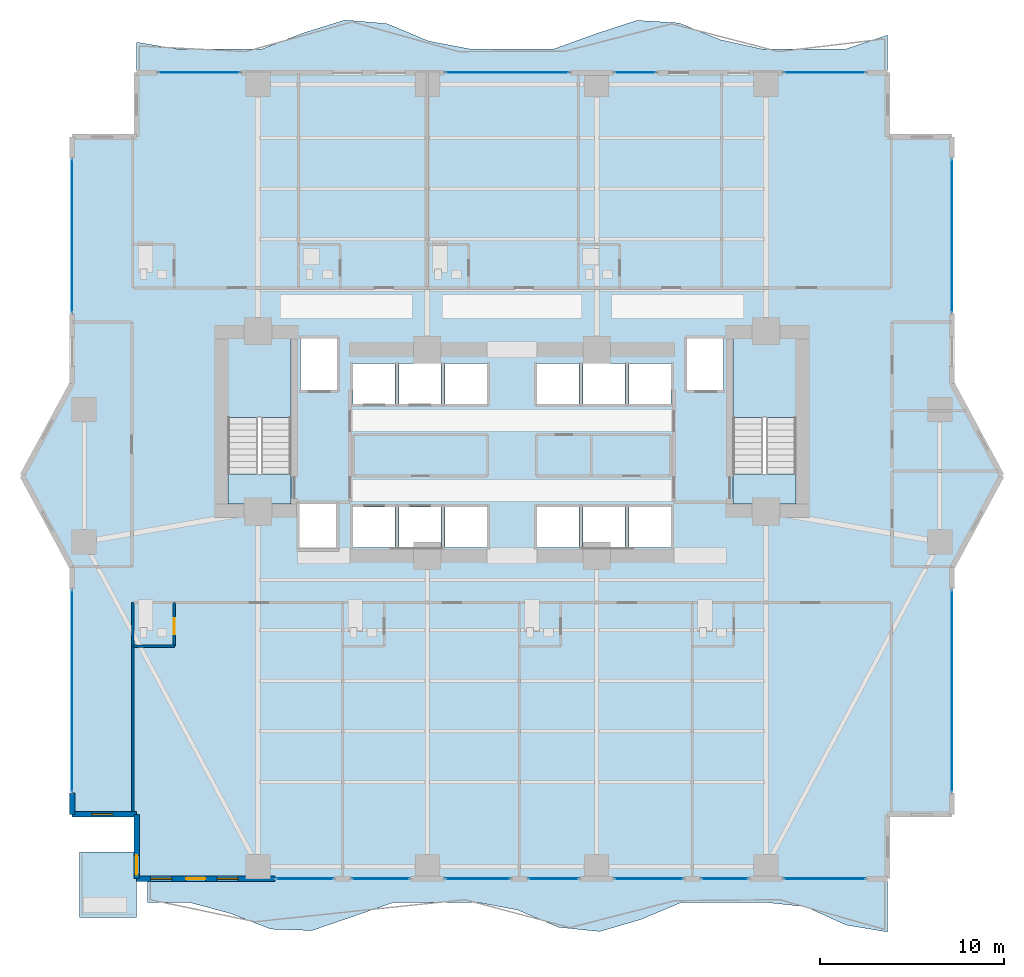
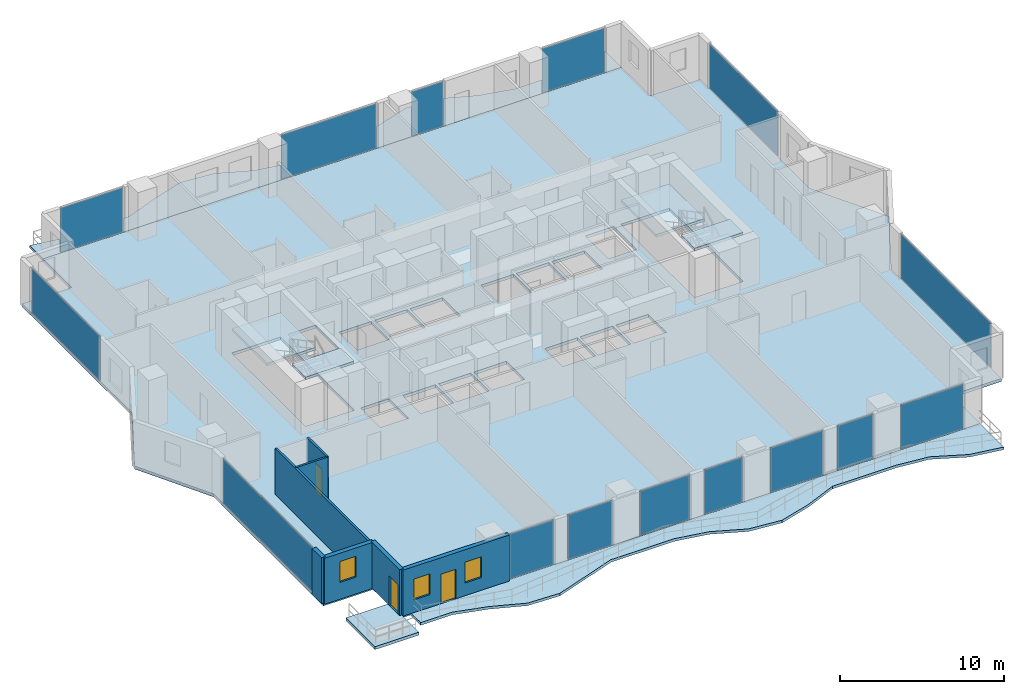
# One storey, part 19 of 28: 15 plates, 8 slabs, 7 walls, 3 doors, 3 windows, 6 openings, 17 elements without a shape of their own.
"""IFC4 building model written with IfcOpenShell, lengths in metres."""

from ifc_helpers import new_model, si_unit, direction, frame, frame_2d, origin, origin_2d, place, context, subcontext, project, spatial, polyline, rectangle, outline, extrude, material, layer, layer_set, type_object, element, fill, aggregate, save


model = new_model("IFC4")

# Units and contexts
model_context = context("Model", 3, precision=1e-05, world=origin(), true_north=direction((0.0, 1.0)))
body_context = subcontext(model_context, "Body", "Model", "MODEL_VIEW")
ifc_project = project(units=[si_unit("LENGTHUNIT", "METRE"), si_unit("AREAUNIT", "SQUARE_METRE"), si_unit("VOLUMEUNIT", "CUBIC_METRE"), si_unit("PLANEANGLEUNIT", "RADIAN"), si_unit("MASSUNIT", "GRAM", prefix="KILO")], contexts=[model_context])

# Site, building, storey
site_placement = place(None, origin())
site = spatial("IfcSite", under=ifc_project, at=site_placement, CompositionType="ELEMENT")
building_placement = place(site_placement, origin())
building = spatial("IfcBuilding", under=site, at=building_placement, Name="Zuhayl Quay Hotel", CompositionType="ELEMENT")
storey_placement = place(building_placement, frame((0.0, 0.0, 121.199951171875)))
storey = spatial("IfcBuildingStorey", under=building, at=storey_placement, Name="L30", CompositionType="ELEMENT", Elevation=121.199951171875)

# Curtain wall, plate
ifc_material_1 = material(Name="Anodised Aluminium 6063-T6", Category="aluminium")
ifc_layer_1 = layer(ifc_material_1, 0.179931640625, Name="Anodised Aluminium 6063-T6", Category="aluminium")
ifc_layer_set_1 = layer_set([ifc_layer_1], Name="Anodised Aluminium 6063-T6")
curtain_wall_type = type_object("IfcCurtainWallType", Name="CW_SYS_Z2", PredefinedType="USERDEFINED", material=ifc_layer_set_1)
curtain_wall_1_placement = place(storey_placement, origin())
curtain_wall_1 = element("IfcCurtainWall", 1, at=curtain_wall_1_placement, inside=storey, type_object=curtain_wall_type, Name="L30 Curtain Wall ENV_L30_E02_CW1", ObjectType="UNITISED CURTAIN WALL", PredefinedType="USERDEFINED")
ifc_material_2 = material(Name="Dark Ceramic-Fritted Solar Glass", Category="glass")
ifc_layer_2 = layer(ifc_material_2, 0.035888671875, Name="Dark Ceramic-Fritted Solar Glass", Category="glass")
ifc_layer_set_2 = layer_set([ifc_layer_2], Name="Dark Ceramic-Fritted Solar Glass")
plate_type = type_object("IfcPlateType", Name="PN_DARK_FRIT_Z1", PredefinedType="CURTAIN_PANEL", material=ifc_layer_set_2)
plate_1_placement = place(storey_placement, frame((-23.89990234375, -5.199951171875, 0.06005859375), z_axis=(0.0, 0.0, 1.0), x_axis=(0.0, 1.0, 0.0)))
plate_1 = element("IfcPlate", 2, at=plate_1_placement, type_object=plate_type, Name="CW-Z2 panel 1.1", PredefinedType="CURTAIN_PANEL", context=body_context, shape_type="SweptSolid", body=[
    extrude(rectangle(XDim=10.969970703125, YDim=0.035888671875, at=origin_2d()), origin(), (0.0, 0.0, 1.0), 3.31005859375),
])
aggregate(curtain_wall_1, [plate_1])

curtain_wall_2_placement = place(storey_placement, origin())
curtain_wall_2 = element("IfcCurtainWall", 3, at=curtain_wall_2_placement, inside=storey, type_object=curtain_wall_type, Name="L30 Curtain Wall ENV_L30_E05_CW1", ObjectType="UNITISED CURTAIN WALL", PredefinedType="USERDEFINED")
plate_2_placement = place(storey_placement, frame((-23.89990234375, 19.52490234375, 0.06005859375), z_axis=(0.0, 0.0, 1.0), x_axis=(0.0, 1.0, 0.0)))
plate_2 = element("IfcPlate", 4, at=plate_2_placement, type_object=plate_type, Name="CW-Z2 panel 1.1", PredefinedType="CURTAIN_PANEL", context=body_context, shape_type="SweptSolid", body=[
    extrude(rectangle(XDim=8.320068359375, YDim=0.035888671875, at=origin_2d()), origin(), (0.0, 0.0, 1.0), 3.31005859375),
])
aggregate(curtain_wall_2, [plate_2])

curtain_wall_3_placement = place(storey_placement, origin())
curtain_wall_3 = element("IfcCurtainWall", 5, at=curtain_wall_3_placement, inside=storey, type_object=curtain_wall_type, Name="L30 Curtain Wall ENV_L30_N_CW1", ObjectType="UNITISED CURTAIN WALL", PredefinedType="USERDEFINED")
plate_3_placement = place(storey_placement, frame((-16.985107421875, 28.39990234375, 0.06005859375), z_axis=(0.0, 0.0, 1.0), x_axis=(1.0, 0.0, 0.0)))
plate_3 = element("IfcPlate", 6, at=plate_3_placement, type_object=plate_type, Name="CW-Z2 panel 1.1", PredefinedType="CURTAIN_PANEL", context=body_context, shape_type="SweptSolid", body=[
    extrude(rectangle(XDim=4.39990234375, YDim=0.035888671875, at=origin_2d()), origin(), (0.0, 0.0, 1.0), 3.31005859375),
])
aggregate(curtain_wall_3, [plate_3])

curtain_wall_4_placement = place(storey_placement, origin())
curtain_wall_4 = element("IfcCurtainWall", 7, at=curtain_wall_4_placement, inside=storey, type_object=curtain_wall_type, Name="L30 Curtain Wall ENV_L30_N_CW2", ObjectType="UNITISED CURTAIN WALL", PredefinedType="USERDEFINED")
plate_4_placement = place(storey_placement, frame((-0.264892578125, 28.39990234375, 0.06005859375), z_axis=(0.0, 0.0, 1.0), x_axis=(1.0, 0.0, 0.0)))
plate_4 = element("IfcPlate", 8, at=plate_4_placement, type_object=plate_type, Name="CW-Z2 panel 1.1", PredefinedType="CURTAIN_PANEL", context=body_context, shape_type="SweptSolid", body=[
    extrude(rectangle(XDim=6.699951171875, YDim=0.035888671875, at=origin_2d()), origin(), (0.0, 0.0, 1.0), 3.31005859375),
])
aggregate(curtain_wall_4, [plate_4])

curtain_wall_5_placement = place(storey_placement, origin())
curtain_wall_5 = element("IfcCurtainWall", 9, at=curtain_wall_5_placement, inside=storey, type_object=curtain_wall_type, Name="L30 Curtain Wall ENV_L30_N_CW3", ObjectType="UNITISED CURTAIN WALL", PredefinedType="USERDEFINED")
plate_5_placement = place(storey_placement, frame((6.702392578125, 28.39990234375, 0.06005859375), z_axis=(0.0, 0.0, 1.0), x_axis=(1.0, 0.0, 0.0)))
plate_5 = element("IfcPlate", 10, at=plate_5_placement, type_object=plate_type, Name="CW-Z2 panel 1.1", PredefinedType="CURTAIN_PANEL", context=body_context, shape_type="SweptSolid", body=[
    extrude(rectangle(XDim=2.235107421875, YDim=0.035888671875, at=origin_2d()), origin(), (0.0, 0.0, 1.0), 3.31005859375),
])
aggregate(curtain_wall_5, [plate_5])

curtain_wall_6_placement = place(storey_placement, origin())
curtain_wall_6 = element("IfcCurtainWall", 11, at=curtain_wall_6_placement, inside=storey, type_object=curtain_wall_type, Name="L30 Curtain Wall ENV_L30_N_CW4", ObjectType="UNITISED CURTAIN WALL", PredefinedType="USERDEFINED")
plate_6_placement = place(storey_placement, frame((16.985107421875, 28.39990234375, 0.06005859375), z_axis=(0.0, 0.0, 1.0), x_axis=(1.0, 0.0, 0.0)))
plate_6 = element("IfcPlate", 12, at=plate_6_placement, type_object=plate_type, Name="CW-Z2 panel 1.1", PredefinedType="CURTAIN_PANEL", context=body_context, shape_type="SweptSolid", body=[
    extrude(rectangle(XDim=4.39990234375, YDim=0.035888671875, at=origin_2d()), origin(), (0.0, 0.0, 1.0), 3.31005859375),
])
aggregate(curtain_wall_6, [plate_6])

curtain_wall_7_placement = place(storey_placement, origin())
curtain_wall_7 = element("IfcCurtainWall", 13, at=curtain_wall_7_placement, inside=storey, type_object=curtain_wall_type, Name="L30 Curtain Wall ENV_L30_E11_CW1", ObjectType="UNITISED CURTAIN WALL", PredefinedType="USERDEFINED")
plate_7_placement = place(storey_placement, frame((23.89990234375, 19.52490234375, 0.06005859375), z_axis=(0.0, 0.0, 1.0), x_axis=(0.0, -1.0, 0.0)))
plate_7 = element("IfcPlate", 14, at=plate_7_placement, type_object=plate_type, Name="CW-Z2 panel 1.1", PredefinedType="CURTAIN_PANEL", context=body_context, shape_type="SweptSolid", body=[
    extrude(rectangle(XDim=8.320068359375, YDim=0.035888671875, at=origin_2d()), origin(), (0.0, 0.0, 1.0), 3.31005859375),
])
aggregate(curtain_wall_7, [plate_7])

curtain_wall_8_placement = place(storey_placement, origin())
curtain_wall_8 = element("IfcCurtainWall", 15, at=curtain_wall_8_placement, inside=storey, type_object=curtain_wall_type, Name="L30 Curtain Wall ENV_L30_E14_CW1", ObjectType="UNITISED CURTAIN WALL", PredefinedType="USERDEFINED")
plate_8_placement = place(storey_placement, frame((23.89990234375, -5.199951171875, 0.06005859375), z_axis=(0.0, 0.0, 1.0), x_axis=(0.0, -1.0, 0.0)))
plate_8 = element("IfcPlate", 16, at=plate_8_placement, type_object=plate_type, Name="CW-Z2 panel 1.1", PredefinedType="CURTAIN_PANEL", context=body_context, shape_type="SweptSolid", body=[
    extrude(rectangle(XDim=10.969970703125, YDim=0.035888671875, at=origin_2d()), origin(), (0.0, 0.0, 1.0), 3.31005859375),
])
aggregate(curtain_wall_8, [plate_8])

curtain_wall_9_placement = place(storey_placement, origin())
curtain_wall_9 = element("IfcCurtainWall", 17, at=curtain_wall_9_placement, inside=storey, type_object=curtain_wall_type, Name="L30 Curtain Wall ENV_L30_S_CW1", ObjectType="UNITISED CURTAIN WALL", PredefinedType="USERDEFINED")
plate_9_placement = place(storey_placement, frame((16.985107421875, -15.39990234375, 0.06005859375), z_axis=(0.0, 0.0, 1.0), x_axis=(-1.0, 0.0, 0.0)))
plate_9 = element("IfcPlate", 18, at=plate_9_placement, type_object=plate_type, Name="CW-Z2 panel 1.1", PredefinedType="CURTAIN_PANEL", context=body_context, shape_type="SweptSolid", body=[
    extrude(rectangle(XDim=4.39990234375, YDim=0.035888671875, at=origin_2d()), origin(), (0.0, 0.0, 1.0), 3.31005859375),
])
aggregate(curtain_wall_9, [plate_9])

curtain_wall_10_placement = place(storey_placement, origin())
curtain_wall_10 = element("IfcCurtainWall", 19, at=curtain_wall_10_placement, inside=storey, type_object=curtain_wall_type, Name="L30 Curtain Wall ENV_L30_S_CW2", ObjectType="UNITISED CURTAIN WALL", PredefinedType="USERDEFINED")
plate_10_placement = place(storey_placement, frame((11.56494140625, -15.39990234375, 0.06005859375), z_axis=(0.0, 0.0, 1.0), x_axis=(-1.0, 0.0, 0.0)))
plate_10 = element("IfcPlate", 20, at=plate_10_placement, type_object=plate_type, Name="CW-Z2 panel 1.1", PredefinedType="CURTAIN_PANEL", context=body_context, shape_type="SweptSolid", body=[
    extrude(rectangle(XDim=2.5, YDim=0.035888671875, at=origin_2d()), origin(), (0.0, 0.0, 1.0), 3.31005859375),
])
aggregate(curtain_wall_10, [plate_10])

curtain_wall_11_placement = place(storey_placement, origin())
curtain_wall_11 = element("IfcCurtainWall", 21, at=curtain_wall_11_placement, inside=storey, type_object=curtain_wall_type, Name="L30 Curtain Wall ENV_L30_S_CW3", ObjectType="UNITISED CURTAIN WALL", PredefinedType="USERDEFINED")
plate_11_placement = place(storey_placement, frame((7.43505859375, -15.39990234375, 0.06005859375), z_axis=(0.0, 0.0, 1.0), x_axis=(-1.0, 0.0, 0.0)))
plate_11 = element("IfcPlate", 22, at=plate_11_placement, type_object=plate_type, Name="CW-Z2 panel 1.1", PredefinedType="CURTAIN_PANEL", context=body_context, shape_type="SweptSolid", body=[
    extrude(rectangle(XDim=3.699951171875, YDim=0.035888671875, at=origin_2d()), origin(), (0.0, 0.0, 1.0), 3.31005859375),
])
aggregate(curtain_wall_11, [plate_11])

curtain_wall_12_placement = place(storey_placement, origin())
curtain_wall_12 = element("IfcCurtainWall", 23, at=curtain_wall_12_placement, inside=storey, type_object=curtain_wall_type, Name="L30 Curtain Wall ENV_L30_S_CW4", ObjectType="UNITISED CURTAIN WALL", PredefinedType="USERDEFINED")
plate_12_placement = place(storey_placement, frame((2.264892578125, -15.39990234375, 0.06005859375), z_axis=(0.0, 0.0, 1.0), x_axis=(-1.0, 0.0, 0.0)))
plate_12 = element("IfcPlate", 24, at=plate_12_placement, type_object=plate_type, Name="CW-Z2 panel 1.1", PredefinedType="CURTAIN_PANEL", context=body_context, shape_type="SweptSolid", body=[
    extrude(rectangle(XDim=2.699951171875, YDim=0.035888671875, at=origin_2d()), origin(), (0.0, 0.0, 1.0), 3.31005859375),
])
aggregate(curtain_wall_12, [plate_12])

curtain_wall_13_placement = place(storey_placement, origin())
curtain_wall_13 = element("IfcCurtainWall", 25, at=curtain_wall_13_placement, inside=storey, type_object=curtain_wall_type, Name="L30 Curtain Wall ENV_L30_S_CW5", ObjectType="UNITISED CURTAIN WALL", PredefinedType="USERDEFINED")
plate_13_placement = place(storey_placement, frame((-1.864990234375, -15.39990234375, 0.06005859375), z_axis=(0.0, 0.0, 1.0), x_axis=(-1.0, 0.0, 0.0)))
plate_13 = element("IfcPlate", 26, at=plate_13_placement, type_object=plate_type, Name="CW-Z2 panel 1.1", PredefinedType="CURTAIN_PANEL", context=body_context, shape_type="SweptSolid", body=[
    extrude(rectangle(XDim=3.5, YDim=0.035888671875, at=origin_2d()), origin(), (0.0, 0.0, 1.0), 3.31005859375),
])
aggregate(curtain_wall_13, [plate_13])

curtain_wall_14_placement = place(storey_placement, origin())
curtain_wall_14 = element("IfcCurtainWall", 27, at=curtain_wall_14_placement, inside=storey, type_object=curtain_wall_type, Name="L30 Curtain Wall ENV_L30_S_CW6", ObjectType="UNITISED CURTAIN WALL", PredefinedType="USERDEFINED")
plate_14_placement = place(storey_placement, frame((-7.135009765625, -15.39990234375, 0.06005859375), z_axis=(0.0, 0.0, 1.0), x_axis=(-1.0, 0.0, 0.0)))
plate_14 = element("IfcPlate", 28, at=plate_14_placement, type_object=plate_type, Name="CW-Z2 panel 1.1", PredefinedType="CURTAIN_PANEL", context=body_context, shape_type="SweptSolid", body=[
    extrude(rectangle(XDim=3.10009765625, YDim=0.035888671875, at=origin_2d()), origin(), (0.0, 0.0, 1.0), 3.31005859375),
])
aggregate(curtain_wall_14, [plate_14])

curtain_wall_15_placement = place(storey_placement, origin())
curtain_wall_15 = element("IfcCurtainWall", 29, at=curtain_wall_15_placement, inside=storey, type_object=curtain_wall_type, Name="L30 Curtain Wall ENV_L30_S_CW7", ObjectType="UNITISED CURTAIN WALL", PredefinedType="USERDEFINED")
plate_15_placement = place(storey_placement, frame((-11.264892578125, -15.39990234375, 0.06005859375), z_axis=(0.0, 0.0, 1.0), x_axis=(-1.0, 0.0, 0.0)))
plate_15 = element("IfcPlate", 30, at=plate_15_placement, type_object=plate_type, Name="CW-Z2 panel 1.1", PredefinedType="CURTAIN_PANEL", context=body_context, shape_type="SweptSolid", body=[
    extrude(rectangle(XDim=3.10009765625, YDim=0.035888671875, at=origin_2d()), origin(), (0.0, 0.0, 1.0), 3.31005859375),
])
aggregate(curtain_wall_15, [plate_15])

# Slabs
ifc_material_3 = material(Name="Concrete C45/55", Category="concrete")
ifc_layer_3 = layer(ifc_material_3, 0.195068359375, Name="Concrete C45/55", Category="concrete")
ifc_layer_set_3 = layer_set([ifc_layer_3], Name="Concrete C45/55")
slab_type_1 = type_object("IfcSlabType", Name="SL_BALCONY_195", PredefinedType="FLOOR", material=ifc_layer_set_3)
slab_1_placement = place(storey_placement, frame((0.0, 0.0, -0.195068359375)))
element("IfcSlab", 31, at=slab_1_placement, inside=storey, type_object=slab_type_1, Name="L30 Exterior Rippling Balcony Slab North", PredefinedType="FLOOR", context=body_context, shape_type="SweptSolid", body=[
    extrude(outline(polyline([(-20.39990234375, 28.39990234375), (20.39990234375, 28.39990234375), (20.39990234375, 30.436279296875), (18.13330078125, 29.679931640625), (15.86669921875, 29.679931640625), (13.60009765625, 29.679931640625), (11.333251953125, 30.1806640625), (9.066650390625, 31.098388671875), (6.800048828125, 31.23876953125), (4.533203125, 30.498046875), (2.2666015625, 29.679931640625), (0.0, 29.679931640625), (-2.2666015625, 29.679931640625), (-4.533203125, 30.115478515625), (-6.800048828125, 31.061279296875), (-9.066650390625, 31.25732421875), (-11.333251953125, 30.558349609375), (-13.60009765625, 29.679931640625), (-15.86669921875, 29.679931640625), (-18.13330078125, 29.679931640625), (-20.39990234375, 30.050048828125), (-20.39990234375, 28.39990234375)])), origin(), (0.0, 0.0, 1.0), 0.195068359375),
])
slab_2_placement = place(storey_placement, frame((0.0, 0.0, -0.195068359375)))
element("IfcSlab", 32, at=slab_2_placement, inside=storey, type_object=slab_type_1, Name="L30 Exterior Rippling Balcony Slab South", PredefinedType="FLOOR", context=body_context, shape_type="SweptSolid", body=[
    extrude(outline(polyline([(-19.800048828125, -16.679931640625), (-17.566650390625, -16.679931640625), (-15.333251953125, -17.27783203125), (-13.10009765625, -18.140625), (-10.86669921875, -18.217041015625), (-8.63330078125, -17.451904296875), (-6.39990234375, -16.679931640625), (-4.166748046875, -16.679931640625), (-1.933349609375, -16.679931640625), (0.300048828125, -17.09912109375), (2.533203125, -18.041748046875), (4.7666015625, -18.269287109375), (7.0, -17.617431640625), (9.2333984375, -16.679931640625), (11.466796875, -16.679931640625), (13.699951171875, -16.679931640625), (15.933349609375, -16.919189453125), (18.166748046875, -17.922119140625), (20.39990234375, -18.296142578125), (20.39990234375, -15.39990234375), (-19.800048828125, -15.39990234375), (-19.800048828125, -16.679931640625)])), origin(), (0.0, 0.0, 1.0), 0.195068359375),
])
ifc_layer_4 = layer(ifc_material_3, 0.219970703125, Name="Concrete C45/55", Category="concrete")
ifc_layer_set_4 = layer_set([ifc_layer_4], Name="Concrete C45/55")
slab_type_2 = type_object("IfcSlabType", Name="SL_FLOOR_220", PredefinedType="FLOOR", material=ifc_layer_set_4)
slab_3_placement = place(storey_placement, frame((0.0, 0.0, -0.219970703125)))
element("IfcSlab", 33, at=slab_3_placement, inside=storey, type_object=slab_type_2, Name="L30 Structural Floor Slab", PredefinedType="FLOOR", context=body_context, shape_type="SweptSolid", body=[
    extrude(outline(polyline([(-20.39990234375, -15.39990234375), (20.39990234375, -15.39990234375), (20.39990234375, -11.89990234375), (23.89990234375, -11.89990234375), (23.89990234375, 1.5), (26.60009765625, 6.5), (23.89990234375, 11.5), (23.89990234375, 24.89990234375), (20.39990234375, 24.89990234375), (20.39990234375, 28.39990234375), (-20.39990234375, 28.39990234375), (-20.39990234375, 24.89990234375), (-23.89990234375, 24.89990234375), (-23.89990234375, 11.5), (-26.60009765625, 6.5), (-23.89990234375, 1.5), (-23.89990234375, -11.89990234375), (-20.39990234375, -11.89990234375), (-20.39990234375, -15.39990234375)]), holes=[polyline([(-12.0, 4.949951171875), (-12.0, 13.949951171875), (-15.429931640625, 13.949951171875), (-15.429931640625, 4.949951171875), (-12.0, 4.949951171875)]), polyline([(15.429931640625, 4.949951171875), (15.429931640625, 13.949951171875), (12.0, 13.949951171875), (12.0, 4.949951171875), (15.429931640625, 4.949951171875)]), polyline([(-11.5, 11.14990234375), (-9.5, 11.14990234375), (-9.5, 13.949951171875), (-11.5, 13.949951171875), (-11.5, 11.14990234375)]), polyline([(9.5, 11.14990234375), (11.5, 11.14990234375), (11.5, 13.949951171875), (9.5, 13.949951171875), (9.5, 11.14990234375)]), polyline([(-8.64990234375, 2.60009765625), (-6.35009765625, 2.60009765625), (-6.35009765625, 4.800048828125), (-8.64990234375, 4.800048828125), (-8.64990234375, 2.60009765625)]), polyline([(-6.14990234375, 2.60009765625), (-3.85009765625, 2.60009765625), (-3.85009765625, 4.800048828125), (-6.14990234375, 4.800048828125), (-6.14990234375, 2.60009765625)]), polyline([(-8.64990234375, 10.39990234375), (-6.35009765625, 10.39990234375), (-6.35009765625, 12.60009765625), (-8.64990234375, 12.60009765625), (-8.64990234375, 10.39990234375)]), polyline([(-6.14990234375, 10.39990234375), (-3.85009765625, 10.39990234375), (-3.85009765625, 12.60009765625), (-6.14990234375, 12.60009765625), (-6.14990234375, 10.39990234375)]), polyline([(-3.64990234375, 2.60009765625), (-1.35009765625, 2.60009765625), (-1.35009765625, 4.800048828125), (-3.64990234375, 4.800048828125), (-3.64990234375, 2.60009765625)]), polyline([(1.35009765625, 2.60009765625), (3.64990234375, 2.60009765625), (3.64990234375, 4.800048828125), (1.35009765625, 4.800048828125), (1.35009765625, 2.60009765625)]), polyline([(-3.64990234375, 10.39990234375), (-1.35009765625, 10.39990234375), (-1.35009765625, 12.60009765625), (-3.64990234375, 12.60009765625), (-3.64990234375, 10.39990234375)]), polyline([(1.35009765625, 10.39990234375), (3.64990234375, 10.39990234375), (3.64990234375, 12.60009765625), (1.35009765625, 12.60009765625), (1.35009765625, 10.39990234375)]), polyline([(3.85009765625, 2.60009765625), (6.14990234375, 2.60009765625), (6.14990234375, 4.800048828125), (3.85009765625, 4.800048828125), (3.85009765625, 2.60009765625)]), polyline([(6.35009765625, 2.60009765625), (8.64990234375, 2.60009765625), (8.64990234375, 4.800048828125), (6.35009765625, 4.800048828125), (6.35009765625, 2.60009765625)]), polyline([(3.85009765625, 10.39990234375), (6.14990234375, 10.39990234375), (6.14990234375, 12.60009765625), (3.85009765625, 12.60009765625), (3.85009765625, 10.39990234375)]), polyline([(6.35009765625, 10.39990234375), (8.64990234375, 10.39990234375), (8.64990234375, 12.60009765625), (6.35009765625, 12.60009765625), (6.35009765625, 10.39990234375)]), polyline([(-11.550048828125, 2.550048828125), (-9.550048828125, 2.550048828125), (-9.550048828125, 4.949951171875), (-11.550048828125, 4.949951171875), (-11.550048828125, 2.550048828125)])]), origin(), (0.0, 0.0, 1.0), 0.219970703125),
])

# Stair, slabs
stair_type = type_object("IfcStairType", Name="ST_DOGLEG_TOWER", PredefinedType="HALF_TURN_STAIR", material=ifc_material_3)
stair_1_placement = place(storey_placement, origin())
stair_1 = element("IfcStair", 34, at=stair_1_placement, inside=storey, type_object=stair_type, Name="L30 Smokeproof Exit Stair ST1", PredefinedType="HALF_TURN_STAIR")
ifc_layer_5 = layer(ifc_material_3, 0.199951171875, Name="Concrete C45/55", Category="concrete")
ifc_layer_set_5 = layer_set([ifc_layer_5], Name="Concrete C45/55")
slab_type_3 = type_object("IfcSlabType", Name="SL_STAIR_LANDING_200", PredefinedType="LANDING", material=ifc_layer_set_5)
slab_4_placement = place(storey_placement, frame((0.0, 0.0, 1.625)))
slab_4 = element("IfcSlab", 35, at=slab_4_placement, type_object=slab_type_3, Name="ST1 landing 1", PredefinedType="LANDING", context=body_context, shape_type="SweptSolid", body=[
    extrude(outline(polyline([(-12.0, 9.64990234375), (-12.0, 13.949951171875), (-15.429931640625, 13.949951171875), (-15.429931640625, 9.64990234375), (-12.0, 9.64990234375)])), origin(), (0.0, 0.0, 1.0), 0.199951171875),
])
slab_5_placement = place(storey_placement, frame((0.0, 0.0, 3.449951171875)))
slab_5 = element("IfcSlab", 36, at=slab_5_placement, type_object=slab_type_3, Name="ST1 landing 2", PredefinedType="LANDING", context=body_context, shape_type="SweptSolid", body=[
    extrude(outline(polyline([(-12.0, 4.949951171875), (-12.0, 6.590087890625), (-15.429931640625, 6.590087890625), (-15.429931640625, 4.949951171875), (-12.0, 4.949951171875)])), origin(), (0.0, 0.0, 1.0), 0.2001953125),
])
aggregate(stair_1, [slab_4, slab_5])

stair_2_placement = place(storey_placement, origin())
stair_2 = element("IfcStair", 37, at=stair_2_placement, inside=storey, type_object=stair_type, Name="L30 Smokeproof Exit Stair ST2", PredefinedType="HALF_TURN_STAIR")
slab_6_placement = place(storey_placement, frame((0.0, 0.0, 1.625)))
slab_6 = element("IfcSlab", 38, at=slab_6_placement, type_object=slab_type_3, Name="ST2 landing 1", PredefinedType="LANDING", context=body_context, shape_type="SweptSolid", body=[
    extrude(outline(polyline([(15.429931640625, 9.64990234375), (15.429931640625, 13.949951171875), (12.0, 13.949951171875), (12.0, 9.64990234375), (15.429931640625, 9.64990234375)])), origin(), (0.0, 0.0, 1.0), 0.199951171875),
])
slab_7_placement = place(storey_placement, frame((0.0, 0.0, 3.449951171875)))
slab_7 = element("IfcSlab", 39, at=slab_7_placement, type_object=slab_type_3, Name="ST2 landing 2", PredefinedType="LANDING", context=body_context, shape_type="SweptSolid", body=[
    extrude(outline(polyline([(15.429931640625, 4.949951171875), (15.429931640625, 6.590087890625), (12.0, 6.590087890625), (12.0, 4.949951171875), (15.429931640625, 4.949951171875)])), origin(), (0.0, 0.0, 1.0), 0.2001953125),
])
aggregate(stair_2, [slab_6, slab_7])

# Slab
ifc_layer_6 = layer(ifc_material_3, 0.219970703125, Name="Concrete C45/55", Category="concrete")
ifc_layer_set_6 = layer_set([ifc_layer_6], Name="Concrete C45/55")
slab_type_4 = type_object("IfcSlabType", Name="SL_TERRACE_235", PredefinedType="FLOOR", material=ifc_layer_set_6)
slab_8_placement = place(storey_placement, frame((0.0, 0.0, -0.219970703125)))
element("IfcSlab", 40, at=slab_8_placement, inside=storey, type_object=slab_type_4, Name="L30 Exterior Sky-Terrace Slab L30_SPIRAL_SW", PredefinedType="FLOOR", context=body_context, shape_type="SweptSolid", body=[
    extrude(outline(polyline([(-23.5, -17.5), (-20.39990234375, -17.5), (-20.39990234375, -13.949951171875), (-23.5, -13.949951171875), (-23.5, -17.5)])), origin(), (0.0, 0.0, 1.0), 0.219970703125),
])

# Wall, opening, window
ifc_material_4 = material(Name="Precast concrete C45/55", Category="concrete")
ifc_layer_7 = layer(ifc_material_4, 0.300048828125, Name="Precast concrete C45/55", Category="concrete")
ifc_layer_set_7 = layer_set([ifc_layer_7], Name="Precast concrete C45/55")
wall_type_1 = type_object("IfcWallType", Name="WL_EXT_300", PredefinedType="STANDARD", material=ifc_layer_set_7)
wall_1_placement = place(storey_placement, frame((-20.39990234375, -11.89990234375, 0.0), z_axis=(0.0, 0.0, 1.0), x_axis=(-1.0, 0.0, 0.0)))
wall_1 = element("IfcWall", 41, at=wall_1_placement, inside=storey, type_object=wall_type_1, Name="L30 Exterior Precast Wall ENV_L30_EW01", PredefinedType="STANDARD", context=body_context, shape_type="SweptSolid", body=[
    extrude(rectangle(XDim=3.5, YDim=0.300048828125, at=frame_2d((1.75, 0.0))), origin(), (0.0, 0.0, 1.0), 3.429931640625),
])
opening_1_placement = place(wall_1_placement, frame((1.284912109375, 0.0, 1.25)))
opening_1 = element("IfcOpeningElement", 42, at=opening_1_placement, cuts=wall_1, Name="Opening W01N", PredefinedType="OPENING", context=body_context, shape_type="SweptSolid", body=[
    extrude(rectangle(XDim=1.14990234375, YDim=1.550048828125, at=frame_2d((0.574951171875, 0.77490234375))), frame((0.0, 0.159912109375, 0.0), z_axis=(0.0, -1.0, 0.0), x_axis=(1.0, 0.0, 0.0)), (0.0, 0.0, 1.0), 0.320068359375),
])
window_type = type_object("IfcWindowType", Name="WN_NOTCH_1350", PartitioningType="SINGLE_PANEL", PredefinedType="WINDOW", material=ifc_material_2)
window_1_placement = place(opening_1_placement, origin())
window_1 = element("IfcWindow", 43, at=window_1_placement, inside=storey, type_object=window_type, Name="L30 Corner Notch Window 1", OverallHeight=1.550048828125, OverallWidth=1.14990234375, PartitioningType="SINGLE_PANEL", PredefinedType="WINDOW", context=body_context, shape_type="SweptSolid", body=[
    extrude(rectangle(XDim=1.14990234375, YDim=1.550048828125, at=frame_2d((0.574951171875, 0.77490234375))), frame((0.0, 0.030029296875, 0.0), z_axis=(0.0, -1.0, 0.0), x_axis=(1.0, 0.0, 0.0)), (0.0, 0.0, 1.0), 0.06005859375),
])
fill(opening_1, window_1)

# Wall
wall_2_placement = place(storey_placement, frame((-23.89990234375, -11.89990234375, 0.0), z_axis=(0.0, 0.0, 1.0), x_axis=(0.0, 1.0, 0.0)))
element("IfcWall", 44, at=wall_2_placement, inside=storey, type_object=wall_type_1, Name="L30 Exterior Precast Wall ENV_L30_E02_EW1", PredefinedType="STANDARD", context=body_context, shape_type="SweptSolid", body=[
    extrude(rectangle(XDim=1.14990234375, YDim=0.300048828125, at=frame_2d((0.574951171875, 0.0))), origin(), (0.0, 0.0, 1.0), 3.429931640625),
])

# Wall, openings, door, windows
wall_3_placement = place(storey_placement, frame((-12.8798828125, -15.39990234375, 0.0), z_axis=(0.0, 0.0, 1.0), x_axis=(-1.0, 0.0, 0.0)))
wall_3 = element("IfcWall", 45, at=wall_3_placement, inside=storey, type_object=wall_type_1, Name="L30 Exterior Precast Wall ENV_L30_S_EW8", PredefinedType="STANDARD", context=body_context, shape_type="SweptSolid", body=[
    extrude(rectangle(XDim=7.52001953125, YDim=0.300048828125, at=frame_2d((3.760009765625, 0.0))), origin(), (0.0, 0.0, 1.0), 3.429931640625),
])
opening_2_placement = place(wall_3_placement, frame((3.77490234375, 0.0, 0.0)))
opening_2 = element("IfcOpeningElement", 46, at=opening_2_placement, cuts=wall_3, Name="Opening DG1", PredefinedType="OPENING", context=body_context, shape_type="SweptSolid", body=[
    extrude(rectangle(XDim=1.050048828125, YDim=2.199951171875, at=frame_2d((0.52490234375, 1.10009765625))), frame((0.0, 0.159912109375, 0.0), z_axis=(0.0, -1.0, 0.0), x_axis=(1.0, 0.0, 0.0)), (0.0, 0.0, 1.0), 0.320068359375),
])
opening_3_placement = place(wall_3_placement, frame((1.99755859375, 0.0, 0.949951171875)))
opening_3 = element("IfcOpeningElement", 47, at=opening_3_placement, cuts=wall_3, Name="Opening W01N", PredefinedType="OPENING", context=body_context, shape_type="SweptSolid", body=[
    extrude(rectangle(XDim=1.14990234375, YDim=1.550048828125, at=frame_2d((0.574951171875, 0.77490234375))), frame((0.0, 0.159912109375, 0.0), z_axis=(0.0, -1.0, 0.0), x_axis=(1.0, 0.0, 0.0)), (0.0, 0.0, 1.0), 0.320068359375),
])
opening_4_placement = place(wall_3_placement, frame((5.6025390625, 0.0, 0.949951171875)))
opening_4 = element("IfcOpeningElement", 48, at=opening_4_placement, cuts=wall_3, Name="Opening W01N", PredefinedType="OPENING", context=body_context, shape_type="SweptSolid", body=[
    extrude(rectangle(XDim=1.14990234375, YDim=1.550048828125, at=frame_2d((0.574951171875, 0.77490234375))), frame((0.0, 0.159912109375, 0.0), z_axis=(0.0, -1.0, 0.0), x_axis=(1.0, 0.0, 0.0)), (0.0, 0.0, 1.0), 0.320068359375),
])
ifc_material_5 = material(Name="Anodised Aluminium and Dark Solar Glass", Category="aluminium")
door_type_1 = type_object("IfcDoorType", Name="DR_EXT_TERR_1050", OperationType="NOTDEFINED", PredefinedType="DOOR", material=ifc_material_5)
door_1_placement = place(opening_2_placement, origin())
door_1 = element("IfcDoor", 49, at=door_1_placement, inside=storey, type_object=door_type_1, Name="L30 South Rippling Balcony Door", OperationType="SINGLE_SWING_RIGHT", OverallHeight=2.199951171875, OverallWidth=1.050048828125, PredefinedType="DOOR", context=body_context, shape_type="SweptSolid", body=[
    extrude(rectangle(XDim=1.050048828125, YDim=2.199951171875, at=frame_2d((0.52490234375, 1.10009765625))), frame((0.0, 0.02490234375, 0.0), z_axis=(0.0, -1.0, 0.0), x_axis=(1.0, 0.0, 0.0)), (0.0, 0.0, 1.0), 0.050048828125),
])
fill(opening_2, door_1)
window_2_placement = place(opening_3_placement, origin())
window_2 = element("IfcWindow", 50, at=window_2_placement, inside=storey, type_object=window_type, Name="L30 Operable Facade Window 8-1", OverallHeight=1.550048828125, OverallWidth=1.14990234375, PartitioningType="SINGLE_PANEL", PredefinedType="WINDOW", context=body_context, shape_type="SweptSolid", body=[
    extrude(rectangle(XDim=1.14990234375, YDim=1.550048828125, at=frame_2d((0.574951171875, 0.77490234375))), frame((0.0, 0.030029296875, 0.0), z_axis=(0.0, -1.0, 0.0), x_axis=(1.0, 0.0, 0.0)), (0.0, 0.0, 1.0), 0.06005859375),
])
fill(opening_3, window_2)
window_3_placement = place(opening_4_placement, origin())
window_3 = element("IfcWindow", 51, at=window_3_placement, inside=storey, type_object=window_type, Name="L30 Operable Facade Window 8-2", OverallHeight=1.550048828125, OverallWidth=1.14990234375, PartitioningType="SINGLE_PANEL", PredefinedType="WINDOW", context=body_context, shape_type="SweptSolid", body=[
    extrude(rectangle(XDim=1.14990234375, YDim=1.550048828125, at=frame_2d((0.574951171875, 0.77490234375))), frame((0.0, 0.030029296875, 0.0), z_axis=(0.0, -1.0, 0.0), x_axis=(1.0, 0.0, 0.0)), (0.0, 0.0, 1.0), 0.06005859375),
])
fill(opening_4, window_3)

# Wall, opening, door
wall_4_placement = place(storey_placement, frame((-20.39990234375, -15.39990234375, 0.0), z_axis=(0.0, 0.0, 1.0), x_axis=(0.0, 1.0, 0.0)))
wall_4 = element("IfcWall", 52, at=wall_4_placement, inside=storey, type_object=wall_type_1, Name="L30 Exterior Precast Wall ENV_L30_SP_SW", PredefinedType="STANDARD", context=body_context, shape_type="SweptSolid", body=[
    extrude(rectangle(XDim=3.5, YDim=0.300048828125, at=frame_2d((1.75, 0.0))), origin(), (0.0, 0.0, 1.0), 3.429931640625),
])
opening_5_placement = place(wall_4_placement, frame((0.219970703125, 0.0, 0.0)))
opening_5 = element("IfcOpeningElement", 53, at=opening_5_placement, cuts=wall_4, Name="Opening DG1", PredefinedType="OPENING", context=body_context, shape_type="SweptSolid", body=[
    extrude(rectangle(XDim=1.050048828125, YDim=2.199951171875, at=frame_2d((0.52490234375, 1.10009765625))), frame((0.0, 0.159912109375, 0.0), z_axis=(0.0, -1.0, 0.0), x_axis=(1.0, 0.0, 0.0)), (0.0, 0.0, 1.0), 0.320068359375),
])
door_2_placement = place(opening_5_placement, origin())
door_2 = element("IfcDoor", 54, at=door_2_placement, inside=storey, type_object=door_type_1, Name="L30 Spiral Sky-Terrace SW Access Door", OperationType="SINGLE_SWING_LEFT", OverallHeight=2.199951171875, OverallWidth=1.050048828125, PredefinedType="DOOR", context=body_context, shape_type="SweptSolid", body=[
    extrude(rectangle(XDim=1.050048828125, YDim=2.199951171875, at=frame_2d((0.52490234375, 1.10009765625))), frame((0.0, 0.02490234375, 0.0), z_axis=(0.0, -1.0, 0.0), x_axis=(1.0, 0.0, 0.0)), (0.0, 0.0, 1.0), 0.050048828125),
])
fill(opening_5, door_2)

# Wall
ifc_material_6 = material(Name="Acoustic Gypsum Partition STC-58")
ifc_layer_8 = layer(ifc_material_6, 0.14990234375, Name="Acoustic Gypsum Partition STC-58")
ifc_layer_set_8 = layer_set([ifc_layer_8], Name="Acoustic Gypsum Partition STC-58")
wall_type_2 = type_object("IfcWallType", Name="WL_PART_150", PredefinedType="PARTITIONING", material=ifc_layer_set_8)
wall_5_placement = place(storey_placement, frame((-20.60009765625, -11.89990234375, 0.0), z_axis=(0.0, 0.0, 1.0), x_axis=(0.0, 1.0, 0.0)))
element("IfcWall", 55, at=wall_5_placement, inside=storey, type_object=wall_type_2, Name="L30 Partition IW_L30_SU01_W", PredefinedType="PARTITIONING", context=body_context, shape_type="SweptSolid", body=[
    extrude(rectangle(XDim=11.5, YDim=0.14990234375, at=frame_2d((5.75, 0.0))), origin(), (0.0, 0.0, 1.0), 3.429931640625),
])

# Wall, opening, door
ifc_material_7 = material(Name="Moisture-Resistant Sanitarychase Gypsum")
ifc_layer_9 = layer(ifc_material_7, 0.135009765625, Name="Moisture-Resistant Sanitarychase Gypsum")
ifc_layer_set_9 = layer_set([ifc_layer_9], Name="Moisture-Resistant Sanitarychase Gypsum")
wall_type_3 = type_object("IfcWallType", Name="WL_PART_PLUMB_150", PredefinedType="PLUMBINGWALL", material=ifc_layer_set_9)
wall_6_placement = place(storey_placement, frame((-18.340087890625, -2.760009765625, 0.0), z_axis=(0.0, 0.0, 1.0), x_axis=(0.0, 1.0, 0.0)))
wall_6 = element("IfcWall", 56, at=wall_6_placement, inside=storey, type_object=wall_type_3, Name="L30 Partition IW_L30_SU01_BE", PredefinedType="PLUMBINGWALL", context=body_context, shape_type="SweptSolid", body=[
    extrude(rectangle(XDim=2.360107421875, YDim=0.135009765625, at=frame_2d((1.18017578125, 0.0))), origin(), (0.0, 0.0, 1.0), 3.429931640625),
])
opening_6_placement = place(wall_6_placement, frame((0.64990234375, 0.0, 0.0)))
opening_6 = element("IfcOpeningElement", 57, at=opening_6_placement, cuts=wall_6, Name="Opening D04", PredefinedType="OPENING", context=body_context, shape_type="SweptSolid", body=[
    extrude(rectangle(XDim=0.85009765625, YDim=2.10009765625, at=frame_2d((0.425048828125, 1.050048828125))), frame((0.0, 0.077392578125, 0.0), z_axis=(0.0, -1.0, 0.0), x_axis=(1.0, 0.0, 0.0)), (0.0, 0.0, 1.0), 0.155029296875),
])
ifc_material_8 = material(Name="Moisture-Resistant Walnut Veneer")
door_type_2 = type_object("IfcDoorType", Name="DR_BATH_850", OperationType="NOTDEFINED", PredefinedType="DOOR", material=ifc_material_8)
door_3_placement = place(opening_6_placement, origin())
door_3 = element("IfcDoor", 58, at=door_3_placement, inside=storey, type_object=door_type_2, Name="L30 City-View Junior Suite L30-01 En-Suite Door", OperationType="SINGLE_SWING_LEFT", OverallHeight=2.10009765625, OverallWidth=0.85009765625, PredefinedType="DOOR", context=body_context, shape_type="SweptSolid", body=[
    extrude(rectangle(XDim=0.85009765625, YDim=2.10009765625, at=frame_2d((0.425048828125, 1.050048828125))), frame((0.0, 0.02490234375, 0.0), z_axis=(0.0, -1.0, 0.0), x_axis=(1.0, 0.0, 0.0)), (0.0, 0.0, 1.0), 0.050048828125),
])
fill(opening_6, door_3)

# Wall
wall_7_placement = place(storey_placement, frame((-20.60009765625, -2.760009765625, 0.0), z_axis=(0.0, 0.0, 1.0), x_axis=(1.0, 0.0, 0.0)))
element("IfcWall", 59, at=wall_7_placement, inside=storey, type_object=wall_type_3, Name="L30 Partition IW_L30_SU01_BS", PredefinedType="PLUMBINGWALL", context=body_context, shape_type="SweptSolid", body=[
    extrude(rectangle(XDim=2.260009765625, YDim=0.135009765625, at=frame_2d((1.1298828125, 0.0))), origin(), (0.0, 0.0, 1.0), 3.429931640625),
])

save(model, "model.ifc")
